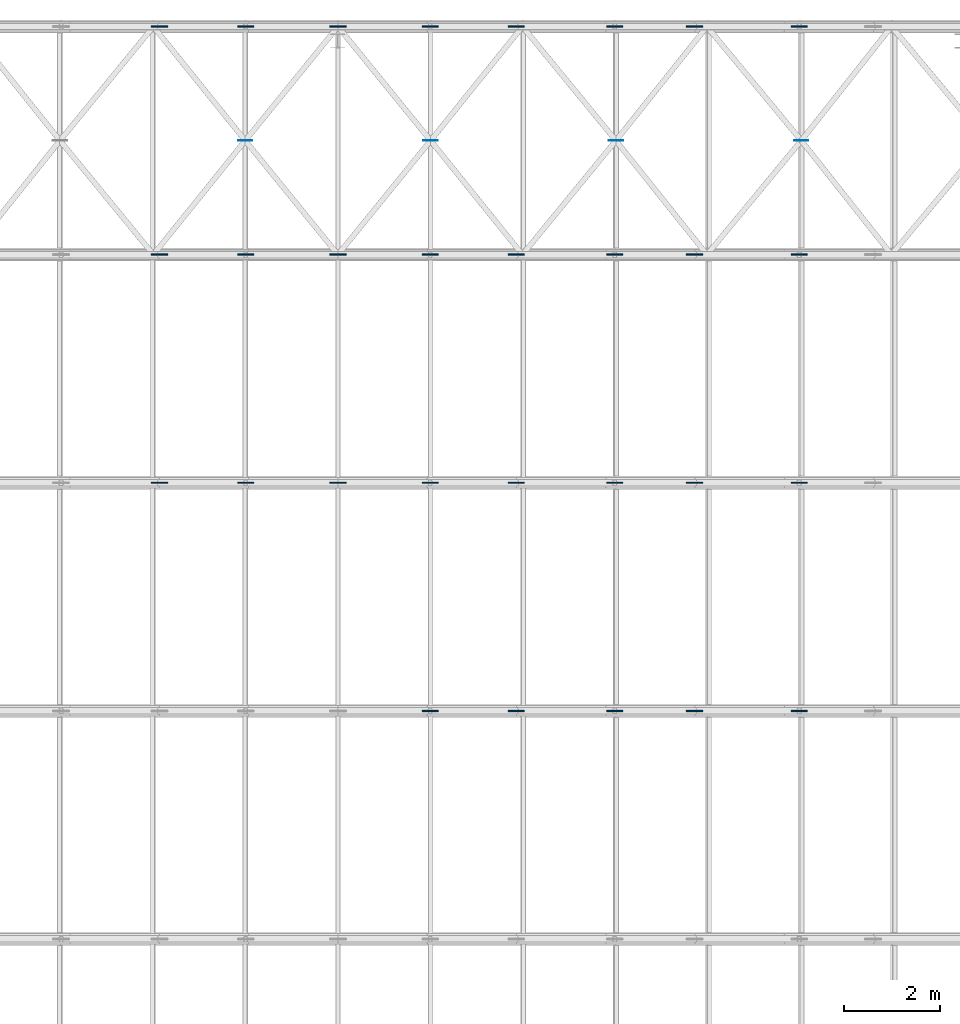
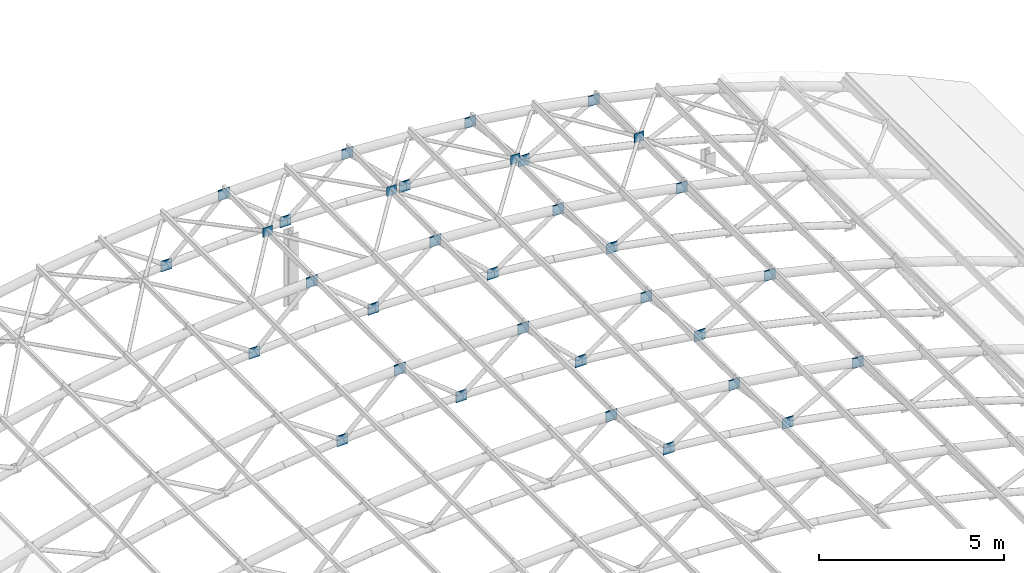
# One storey, part 14 of 22: 33 discrete accessories.
"""IFC4 building model written with IfcOpenShell, lengths in metres."""

from ifc_helpers import new_model, si_unit, direction, frame, origin, origin_2d, place, context, subcontext, project, spatial, rectangle, extrude, material, layer, layer_set, type_object, element, save


model = new_model("IFC4")

# Units and contexts
model_context = context("Model", 3, precision=1e-05, world=origin(), true_north=direction((0.0, 1.0)))
body_context = subcontext(model_context, "Body", "Model", "MODEL_VIEW")
ifc_project = project(units=[si_unit("LENGTHUNIT", "METRE"), si_unit("AREAUNIT", "SQUARE_METRE"), si_unit("VOLUMEUNIT", "CUBIC_METRE"), si_unit("PLANEANGLEUNIT", "RADIAN"), si_unit("MASSUNIT", "GRAM", prefix="KILO")], contexts=[model_context])

# Site, building, storey
site_placement = place(None, origin())
site = spatial("IfcSite", under=ifc_project, at=site_placement, CompositionType="ELEMENT")
building_placement = place(site_placement, origin())
building = spatial("IfcBuilding", under=site, at=building_placement, Name="Elbe Cascade School", CompositionType="ELEMENT")
storey_placement = place(building_placement, frame((0.0, 0.0, 18.89990234375)))
storey = spatial("IfcBuildingStorey", under=building, at=storey_placement, Name="R05", CompositionType="ELEMENT", Elevation=18.89990234375)

# Discrete accessories
ifc_material_1 = material(Name="Steel S355J2", Category="steel")
ifc_layer_1 = layer(ifc_material_1, 0.011962890625)
ifc_layer_set_1 = layer_set([ifc_layer_1], Name="Steel S355J2")
discrete_accessory_type_1 = type_object("IfcDiscreteAccessoryType", Name="Brace gusset plate 12 mm", PredefinedType="BRACKET", material=ifc_layer_set_1)
for number, where, z_axis, x_axis, name in (
    (1, (32.0703125, 67.125, 4.31005859375), (0.0, 0.0, 1.0), (1.0, 0.0, 0.0), "Brace gusset plate 12 mm AC2"),
    (2, (35.9296875, 67.125, 4.31005859375), (0.0, 0.0, 1.0), (1.0, 0.0, 0.0), "Brace gusset plate 12 mm AC2"),
    (3, (39.7890625, 67.125, 3.99853515625), (0.0, 0.0, 1.0), (1.0, 0.0, 0.0), "Brace gusset plate 12 mm AC2"),
    (4, (43.6484375, 67.125, 3.3701171875), (0.0, 0.0, 1.0), (1.0, 0.0, 0.0), "Brace gusset plate 12 mm AC2"),
):
    element("IfcDiscreteAccessory", number, at=place(storey_placement, frame(where, z_axis=z_axis, x_axis=x_axis)), inside=storey, type_object=discrete_accessory_type_1, Name=name, PredefinedType="BRACKET", context=body_context, shape_type="SweptSolid", body=[
        extrude(rectangle(XDim=0.300048828125, YDim=0.011962890625, at=origin_2d()), origin(), (0.0, 0.0, 1.0), 0.300048828125),
    ])
ifc_material_2 = material(Name="Steel S355J2", Category="steel")
ifc_layer_2 = layer(ifc_material_2, 0.030029296875)
ifc_layer_set_2 = layer_set([ifc_layer_2], Name="Steel S355J2")
discrete_accessory_type_2 = type_object("IfcDiscreteAccessoryType", Name="Truss node connection", PredefinedType="BRACKET", material=ifc_layer_set_2)
for number, where, z_axis, x_axis, name in (
    (5, (37.71435546875, 55.25, 2.37255859375), (0.0, 0.0, 1.0), (1.0, 0.0, 0.0), "Truss node connection AC1"),
    (6, (41.4287109375, 55.25, 1.921875), (0.0, 0.0, 1.0), (1.0, 0.0, 0.0), "Truss node connection AC1"),
    (7, (35.92138671875, 55.25, 4.08349609375), (0.0, 0.0, 1.0), (1.0, 0.0, 0.0), "Truss node connection AC1"),
    (8, (39.76416015625, 55.25, 3.7734375), (0.0, 0.0, 1.0), (1.0, 0.0, 0.0), "Truss node connection AC1"),
    (9, (43.60693359375, 55.25, 3.14794921875), (0.0, 0.0, 1.0), (1.0, 0.0, 0.0), "Truss node connection AC1"),
    (10, (30.28564453125, 60.0, 2.37255859375), (0.0, 0.0, 1.0), (1.0, 0.0, 0.0), "Truss node connection AC1"),
    (11, (34.0, 60.0, 2.52197265625), (0.0, 0.0, 1.0), (1.0, 0.0, 0.0), "Truss node connection AC1"),
    (12, (37.71435546875, 60.0, 2.37255859375), (0.0, 0.0, 1.0), (1.0, 0.0, 0.0), "Truss node connection AC1"),
    (13, (41.4287109375, 60.0, 1.921875), (0.0, 0.0, 1.0), (1.0, 0.0, 0.0), "Truss node connection AC1"),
    (14, (32.07861328125, 60.0, 4.08349609375), (0.0, 0.0, 1.0), (1.0, 0.0, 0.0), "Truss node connection AC1"),
    (15, (35.92138671875, 60.0, 4.08349609375), (0.0, 0.0, 1.0), (1.0, 0.0, 0.0), "Truss node connection AC1"),
    (16, (39.76416015625, 60.0, 3.7734375), (0.0, 0.0, 1.0), (1.0, 0.0, 0.0), "Truss node connection AC1"),
    (17, (43.60693359375, 60.0, 3.14794921875), (0.0, 0.0, 1.0), (1.0, 0.0, 0.0), "Truss node connection AC1"),
    (18, (30.28564453125, 64.75, 2.37255859375), (0.0, 0.0, 1.0), (1.0, 0.0, 0.0), "Truss node connection AC1"),
    (19, (34.0, 64.75, 2.52197265625), (0.0, 0.0, 1.0), (1.0, 0.0, 0.0), "Truss node connection AC1"),
    (20, (37.71435546875, 64.75, 2.37255859375), (0.0, 0.0, 1.0), (1.0, 0.0, 0.0), "Truss node connection AC1"),
    (21, (41.4287109375, 64.75, 1.921875), (0.0, 0.0, 1.0), (1.0, 0.0, 0.0), "Truss node connection AC1"),
    (22, (32.07861328125, 64.75, 4.08349609375), (0.0, 0.0, 1.0), (1.0, 0.0, 0.0), "Truss node connection AC1"),
    (23, (35.92138671875, 64.75, 4.08349609375), (0.0, 0.0, 1.0), (1.0, 0.0, 0.0), "Truss node connection AC1"),
    (24, (39.76416015625, 64.75, 3.7734375), (0.0, 0.0, 1.0), (1.0, 0.0, 0.0), "Truss node connection AC1"),
    (25, (43.60693359375, 64.75, 3.14794921875), (0.0, 0.0, 1.0), (1.0, 0.0, 0.0), "Truss node connection AC1"),
    (26, (30.28564453125, 69.5, 2.37255859375), (0.0, 0.0, 1.0), (1.0, 0.0, 0.0), "Truss node connection AC1"),
    (27, (34.0, 69.5, 2.52197265625), (0.0, 0.0, 1.0), (1.0, 0.0, 0.0), "Truss node connection AC1"),
    (28, (37.71435546875, 69.5, 2.37255859375), (0.0, 0.0, 1.0), (1.0, 0.0, 0.0), "Truss node connection AC1"),
    (29, (41.4287109375, 69.5, 1.921875), (0.0, 0.0, 1.0), (1.0, 0.0, 0.0), "Truss node connection AC1"),
    (30, (32.07861328125, 69.5, 4.08349609375), (0.0, 0.0, 1.0), (1.0, 0.0, 0.0), "Truss node connection AC1"),
    (31, (35.92138671875, 69.5, 4.08349609375), (0.0, 0.0, 1.0), (1.0, 0.0, 0.0), "Truss node connection AC1"),
    (32, (39.76416015625, 69.5, 3.7734375), (0.0, 0.0, 1.0), (1.0, 0.0, 0.0), "Truss node connection AC1"),
    (33, (43.60693359375, 69.5, 3.14794921875), (0.0, 0.0, 1.0), (1.0, 0.0, 0.0), "Truss node connection AC1"),
):
    element("IfcDiscreteAccessory", number, at=place(storey_placement, frame(where, z_axis=z_axis, x_axis=x_axis)), inside=storey, type_object=discrete_accessory_type_2, Name=name, PredefinedType="BRACKET", context=body_context, shape_type="SweptSolid", body=[
        extrude(rectangle(XDim=0.340087890625, YDim=0.030029296875, at=origin_2d()), origin(), (0.0, 0.0, 1.0), 0.340087890625),
    ])

save(model, "model.ifc")
